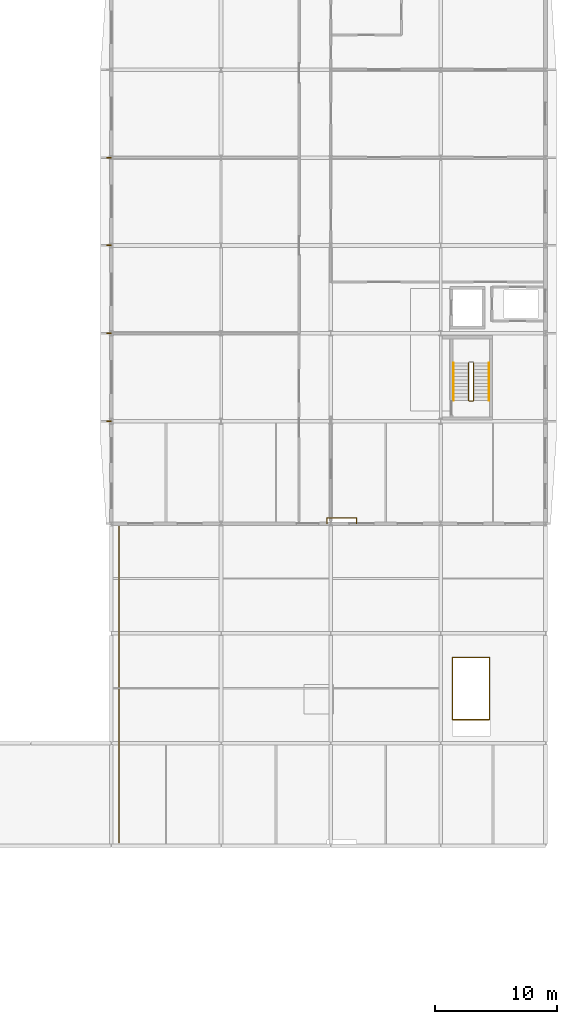
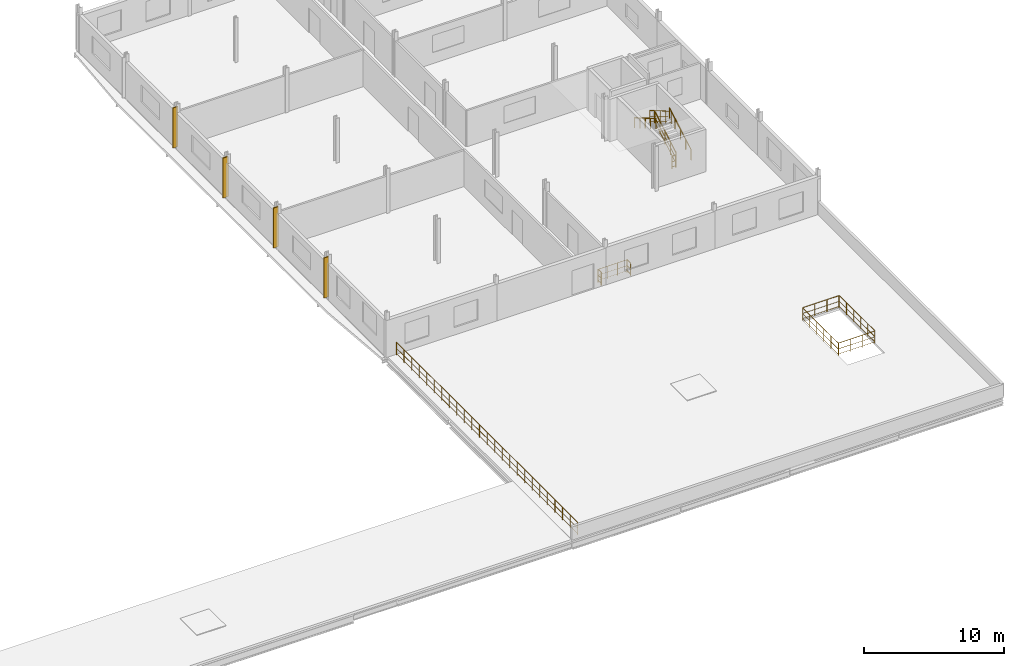
# One storey, part 77 of 78: 13 railings, 4 shading devices.
"""IFC4 building model written with IfcOpenShell, lengths in metres."""

import ifcopenshell
import ifcopenshell.guid

model = None  # the IFC model being written
_history = None  # IfcOwnerHistory: only IFC2X3 demands one
_inside = {}  # id of a spatial element -> (the spatial element, [elements in it])
_under = {}  # id of a project, library or spatial element -> (it, [spatial elements below it])
_declared = {}  # id of a project -> (the project, [libraries it declares])
_typed = {}  # id of a type object -> (the type object, [elements of that type])
_made_of = {}  # id of a material, layer set ... -> (it, [elements and type objects made of it])


def new_model(schema):
    """Start an empty IFC model of exactly this schema.

    Asked for "IFC4X3", IfcOpenShell would pick the latest addendum, in which some entities
    have other attributes; the version numbers below select the first issue.
    IFC2X3 requires an IfcOwnerHistory on every rooted entity: one is made here for all.
    """
    global model, _history
    if schema == "IFC4X3":
        model = ifcopenshell.file(schema_version=(4, 3, 0, 0))
    else:
        model = ifcopenshell.file(schema=schema)
    _inside.clear()
    _under.clear()
    _declared.clear()
    _typed.clear()
    _made_of.clear()
    _history = None
    if model.schema == "IFC2X3":
        org = make("IfcOrganization", Name="unknown")
        user = make(
            "IfcPersonAndOrganization",
            ThePerson=make("IfcPerson", FamilyName="unknown"),
            TheOrganization=org,
        )
        app = make(
            "IfcApplication",
            ApplicationDeveloper=org,
            Version="unknown",
            ApplicationFullName="unknown",
            ApplicationIdentifier="unknown",
        )
        _history = make(
            "IfcOwnerHistory",
            OwningUser=user,
            OwningApplication=app,
            ChangeAction="ADDED",
            CreationDate=0,
        )
    return model


def make(cls, **values):
    """One entity of the class cls with the attributes given. An attribute that is None is left unset."""
    return model.create_entity(
        cls, **{name: value for name, value in values.items() if value is not None}
    )


def rooted(cls, **values):
    """An entity with a GlobalId (a new one), such as an element, a storey or a relation."""
    return make(cls, GlobalId=ifcopenshell.guid.new(), OwnerHistory=_history, **values)


def si_unit(unit_type, name, prefix=None):
    """IfcSIUnit, for example si_unit("LENGTHUNIT", "METRE", prefix="MILLI")."""
    return make("IfcSIUnit", UnitType=unit_type, Prefix=prefix, Name=name)


def assignment(units):
    """IfcUnitAssignment: the units of a project."""
    return None if units is None else make("IfcUnitAssignment", Units=units)


def point(xyz):
    """IfcCartesianPoint."""
    return None if xyz is None else make("IfcCartesianPoint", Coordinates=xyz)


def direction(xyz):
    """IfcDirection."""
    return None if xyz is None else make("IfcDirection", DirectionRatios=xyz)


def frame(location, z_axis=None, x_axis=None):
    """IfcAxis2Placement3D, a coordinate frame: its origin and axes. An axis left out is left unset."""
    return make(
        "IfcAxis2Placement3D",
        Location=point(location),
        Axis=direction(z_axis),
        RefDirection=direction(x_axis),
    )


def frame_2d(location, x_axis=None):
    """IfcAxis2Placement2D, a coordinate frame in the plane: its origin and x axis."""
    return make(
        "IfcAxis2Placement2D", Location=point(location), RefDirection=direction(x_axis)
    )


def origin():
    """The frame at (0, 0, 0) with its axes left unset."""
    return frame((0.0, 0.0, 0.0))


def origin_2d():
    """The frame at (0, 0) in the plane with its x axis left unset."""
    return frame_2d((0.0, 0.0))


def place(relative_to, where):
    """IfcLocalPlacement: puts the frame where relative to a parent placement (None: the world)."""
    return make(
        "IfcLocalPlacement", PlacementRelTo=relative_to, RelativePlacement=where
    )


def context(
    kind, dimensions, precision=None, world=None, true_north=None, identifier=None
):
    """IfcGeometricRepresentationContext, for example the 3D "Model" context."""
    return make(
        "IfcGeometricRepresentationContext",
        ContextIdentifier=identifier,
        ContextType=kind,
        CoordinateSpaceDimension=dimensions,
        Precision=precision,
        WorldCoordinateSystem=world,
        TrueNorth=true_north,
    )


def subcontext(parent, identifier, kind, view, scale=None):
    """IfcGeometricRepresentationSubContext, for example "Body" below "Model"."""
    return make(
        "IfcGeometricRepresentationSubContext",
        ContextIdentifier=identifier,
        ContextType=kind,
        ParentContext=parent,
        TargetScale=scale,
        TargetView=view,
    )


def project(units=None, contexts=None):
    """IfcProject with its units and contexts."""
    return rooted(
        "IfcProject",
        Name="project",
        RepresentationContexts=contexts,
        UnitsInContext=assignment(units),
    )


def spatial(cls, under=None, at=None, **own):
    """A site, building, storey or space (cls), placed at a placement, below another one or the project."""
    s = rooted(cls, ObjectPlacement=at, **own)
    if under is not None:
        _under.setdefault(under.id(), (under, []))[1].append(s)
    return s


def profile(cls, at=None, kind="AREA", **sizes):
    """A parametric profile (cls). Its sizes go by their IFC names, for example OverallWidth=200.0."""
    return make(cls, ProfileType=kind, Position=at, **sizes)


def rectangle(**sizes):
    """IfcRectangleProfileDef."""
    return profile("IfcRectangleProfileDef", **sizes)


def circle(**sizes):
    """IfcCircleProfileDef."""
    return profile("IfcCircleProfileDef", **sizes)


def extrude(swept, where, along, depth):
    """IfcExtrudedAreaSolid: the profile swept, set in the frame where, extruded along a direction by depth."""
    return make(
        "IfcExtrudedAreaSolid",
        SweptArea=swept,
        Position=where,
        ExtrudedDirection=direction(along),
        Depth=depth,
    )


def shape(context_of_items, identifier, shape_type, items):
    """IfcShapeRepresentation: the items that make up one representation, for example the "Body"."""
    return make(
        "IfcShapeRepresentation",
        ContextOfItems=context_of_items,
        RepresentationIdentifier=identifier,
        RepresentationType=shape_type,
        Items=items,
    )


def material(Name=None, Category=None):
    """IfcMaterial."""
    return make("IfcMaterial", Name=Name, Category=Category)


def made_of(thing, what):
    """Note that an element or type object is made of a material, layer set ...; save() writes the relation."""
    if what is not None:
        _made_of.setdefault(what.id(), (what, []))[1].append(thing)
    return thing


def type_object(cls, material=None, **own):
    """A type object (cls), such as IfcWallType, which elements share."""
    return made_of(rooted(cls, **own), material)


def element(
    cls,
    number,
    at=None,
    inside=None,
    cuts=None,
    type_object=None,
    material=None,
    context=None,
    identifier="Body",
    shape_type=None,
    held_by="IfcProductDefinitionShape",
    body=None,
    shapes=None,
    **own,
):
    """One element of the class cls, such as IfcWall. Its Tag is "e" and its number.

    at: its placement. inside: the storey or other place that contains it. cuts: it is an
    opening in that element (IfcRelVoidsElement). A single representation is given by context,
    identifier, shape_type and body (its items); several are given by shapes. held_by: the class
    of the entity that holds the representations. save() writes the other relations.
    """
    e = rooted(cls, Tag="e%d" % number, ObjectPlacement=at, **own)
    if body is not None:
        shapes = [shape(context, identifier, shape_type, body)]
    if shapes is not None:
        e.Representation = make(held_by, Representations=shapes)
    if inside is not None:
        _inside.setdefault(inside.id(), (inside, []))[1].append(e)
    if cuts is not None:
        rooted(
            "IfcRelVoidsElement", RelatingBuildingElement=cuts, RelatedOpeningElement=e
        )
    if type_object is not None:
        _typed.setdefault(type_object.id(), (type_object, []))[1].append(e)
    return made_of(e, material)


def aggregate(whole, parts):
    """IfcRelAggregates: a whole, such as a stair, and the parts it consists of."""
    return rooted("IfcRelAggregates", RelatingObject=whole, RelatedObjects=parts)


def save(model, path):
    """Write the relations noted so far, then the file.

    IfcRelAggregates (storeys below a building ...), IfcRelContainedInSpatialStructure (elements
    in a storey), IfcRelDefinesByType, IfcRelAssociatesMaterial and IfcRelDeclares: one each for
    every whole, place, type object, material and project.
    """
    for whole, parts in _under.values():
        aggregate(whole, parts)
    for where, things in _inside.values():
        rooted(
            "IfcRelContainedInSpatialStructure",
            RelatedElements=things,
            RelatingStructure=where,
        )
    for kind, things in _typed.values():
        rooted("IfcRelDefinesByType", RelatedObjects=things, RelatingType=kind)
    for what, things in _made_of.values():
        rooted("IfcRelAssociatesMaterial", RelatedObjects=things, RelatingMaterial=what)
    for by, libraries in _declared.values():
        rooted("IfcRelDeclares", RelatingContext=by, RelatedDefinitions=libraries)
    model.write(path)


model = new_model("IFC4")

# Units and contexts
model_context = context("Model", 3, precision=1e-05, world=origin(), true_north=direction((0.0, 1.0)))
body_context = subcontext(model_context, "Body", "Model", "MODEL_VIEW")
ifc_project = project(units=[si_unit("LENGTHUNIT", "METRE"), si_unit("AREAUNIT", "SQUARE_METRE"), si_unit("VOLUMEUNIT", "CUBIC_METRE"), si_unit("PLANEANGLEUNIT", "RADIAN"), si_unit("MASSUNIT", "GRAM", prefix="KILO")], contexts=[model_context])

# Site, building, storey
site_placement = place(None, origin())
site = spatial("IfcSite", under=ifc_project, at=site_placement, CompositionType="ELEMENT")
building_placement = place(site_placement, origin())
building = spatial("IfcBuilding", under=site, at=building_placement, Name="Vinh Khe Railworks Police Headquarters", CompositionType="ELEMENT")
storey_placement = place(building_placement, frame((0.0, 0.0, 13.199951171875)))
storey = spatial("IfcBuildingStorey", under=building, at=storey_placement, Name="L03", CompositionType="ELEMENT", Elevation=13.199951171875)

# Railings
ifc_material_1 = material(Name="Dark steel and laminated safety glass", Category="steel")
railing_type_1 = type_object("IfcRailingType", Name="RL-ATRIUM-1150", PredefinedType="BALUSTRADE", material=ifc_material_1)
railing_1_placement = place(storey_placement, frame((78.64990234375, 122.14990234375, 0.0)))
element("IfcRailing", 1, at=railing_1_placement, inside=storey, type_object=railing_type_1, Name="Atrium and Terrace Guard Balustrade GR-V6A-L03-TERR", PredefinedType="BALUSTRADE", context=body_context, shape_type="SweptSolid", body=[
    extrude(circle(Radius=0.02392578125, at=origin_2d()), frame((0.0, 0.0, 1.1259765625), z_axis=(0.0, -1.0, 0.0), x_axis=(1.0, 0.0, 0.0)), (0.0, 0.0, 1.0), 25.89990234375),
    extrude(circle(Radius=0.01416015625, at=origin_2d()), frame((0.0, 0.0, 0.137939453125), z_axis=(0.0, -1.0, 0.0), x_axis=(1.0, 0.0, 0.0)), (0.0, 0.0, 1.0), 25.89990234375),
    extrude(circle(Radius=0.01416015625, at=origin_2d()), frame((0.0, 0.0, 0.597900390625), z_axis=(0.0, -1.0, 0.0), x_axis=(1.0, 0.0, 0.0)), (0.0, 0.0, 1.0), 25.89990234375),
    extrude(circle(Radius=0.02099609375, at=origin_2d()), origin(), (0.0, 0.0, 1.0), 1.101806640625),
    extrude(circle(Radius=0.02099609375, at=origin_2d()), frame((0.0, -1.0791015625, 0.0)), (0.0, 0.0, 1.0), 1.101806640625),
    extrude(circle(Radius=0.02099609375, at=origin_2d()), frame((0.0, -2.158203125, 0.0)), (0.0, 0.0, 1.0), 1.101806640625),
    extrude(circle(Radius=0.02099609375, at=origin_2d()), frame((0.0, -3.237548828125, 0.0)), (0.0, 0.0, 1.0), 1.101806640625),
    extrude(circle(Radius=0.02099609375, at=origin_2d()), frame((0.0, -4.316650390625, 0.0)), (0.0, 0.0, 1.0), 1.101806640625),
    extrude(circle(Radius=0.02099609375, at=origin_2d()), frame((0.0, -5.395751953125, 0.0)), (0.0, 0.0, 1.0), 1.101806640625),
    extrude(circle(Radius=0.02099609375, at=origin_2d()), frame((0.0, -6.47509765625, 0.0)), (0.0, 0.0, 1.0), 1.101806640625),
    extrude(circle(Radius=0.02099609375, at=origin_2d()), frame((0.0, -7.55419921875, 0.0)), (0.0, 0.0, 1.0), 1.101806640625),
    extrude(circle(Radius=0.02099609375, at=origin_2d()), frame((0.0, -8.63330078125, 0.0)), (0.0, 0.0, 1.0), 1.101806640625),
    extrude(circle(Radius=0.02099609375, at=origin_2d()), frame((0.0, -9.71240234375, 0.0)), (0.0, 0.0, 1.0), 1.101806640625),
    extrude(circle(Radius=0.02099609375, at=origin_2d()), frame((0.0, -10.79150390625, 0.0)), (0.0, 0.0, 1.0), 1.101806640625),
    extrude(circle(Radius=0.02099609375, at=origin_2d()), frame((0.0, -11.870849609375, 0.0)), (0.0, 0.0, 1.0), 1.101806640625),
    extrude(circle(Radius=0.02099609375, at=origin_2d()), frame((0.0, -12.949951171875, 0.0)), (0.0, 0.0, 1.0), 1.101806640625),
    extrude(circle(Radius=0.02099609375, at=origin_2d()), frame((0.0, -14.029052734375, 0.0)), (0.0, 0.0, 1.0), 1.101806640625),
    extrude(circle(Radius=0.02099609375, at=origin_2d()), frame((0.0, -15.1083984375, 0.0)), (0.0, 0.0, 1.0), 1.101806640625),
    extrude(circle(Radius=0.02099609375, at=origin_2d()), frame((0.0, -16.1875, 0.0)), (0.0, 0.0, 1.0), 1.101806640625),
    extrude(circle(Radius=0.02099609375, at=origin_2d()), frame((0.0, -17.2666015625, 0.0)), (0.0, 0.0, 1.0), 1.101806640625),
    extrude(circle(Radius=0.02099609375, at=origin_2d()), frame((0.0, -18.345703125, 0.0)), (0.0, 0.0, 1.0), 1.101806640625),
    extrude(circle(Radius=0.02099609375, at=origin_2d()), frame((0.0, -19.4248046875, 0.0)), (0.0, 0.0, 1.0), 1.101806640625),
    extrude(circle(Radius=0.02099609375, at=origin_2d()), frame((0.0, -20.504150390625, 0.0)), (0.0, 0.0, 1.0), 1.101806640625),
    extrude(circle(Radius=0.02099609375, at=origin_2d()), frame((0.0, -21.583251953125, 0.0)), (0.0, 0.0, 1.0), 1.101806640625),
    extrude(circle(Radius=0.02099609375, at=origin_2d()), frame((0.0, -22.662353515625, 0.0)), (0.0, 0.0, 1.0), 1.101806640625),
    extrude(circle(Radius=0.02099609375, at=origin_2d()), frame((0.0, -23.74169921875, 0.0)), (0.0, 0.0, 1.0), 1.101806640625),
    extrude(circle(Radius=0.02099609375, at=origin_2d()), frame((0.0, -24.82080078125, 0.0)), (0.0, 0.0, 1.0), 1.101806640625),
    extrude(circle(Radius=0.02099609375, at=origin_2d()), frame((0.0, -25.89990234375, 0.0)), (0.0, 0.0, 1.0), 1.101806640625),
])
ifc_material_2 = material(Name="Painted tubular steel", Category="steel")
railing_type_2 = type_object("IfcRailingType", Name="RL-GUARD-1100", PredefinedType="GUARDRAIL", material=ifc_material_2)
railing_2_placement = place(storey_placement, frame((107.699951171875, 132.5, 0.16259765625)))
element("IfcRailing", 2, at=railing_2_placement, inside=storey, type_object=railing_type_2, Name="L03 ST-03 stair guard 1", PredefinedType="GUARDRAIL", context=body_context, shape_type="SweptSolid", body=[
    extrude(circle(Radius=0.02392578125, at=origin_2d()), frame((0.0, 0.0, 1.076171875), z_axis=(0.0, 0.864920483161, 0.501908913857), x_axis=(-1.0, 0.0, 0.0)), (0.0, 0.0, 1.0), 3.56103515625),
    extrude(circle(Radius=0.01416015625, at=origin_2d()), frame((0.0, 0.0, 0.132080078125), z_axis=(0.0, 0.864920483161, 0.501908913857), x_axis=(-1.0, 0.0, 0.0)), (0.0, 0.0, 1.0), 3.56103515625),
    extrude(circle(Radius=0.01416015625, at=origin_2d()), frame((0.0, 0.0, 0.572021484375), z_axis=(0.0, 0.864920483161, 0.501908913857), x_axis=(-1.0, 0.0, 0.0)), (0.0, 0.0, 1.0), 3.56103515625),
    extrude(circle(Radius=0.02099609375, at=origin_2d()), origin(), (0.0, 0.0, 1.0), 1.052001953125),
    extrude(circle(Radius=0.02099609375, at=origin_2d()), frame((0.0, 0.77001953125, 0.44677734375)), (0.0, 0.0, 1.0), 1.052001953125),
    extrude(circle(Radius=0.02099609375, at=origin_2d()), frame((0.0, 1.5400390625, 0.8935546875)), (0.0, 0.0, 1.0), 1.052001953125),
    extrude(circle(Radius=0.02099609375, at=origin_2d()), frame((0.0, 2.31005859375, 1.340576171875)), (0.0, 0.0, 1.0), 1.052001953125),
    extrude(circle(Radius=0.02099609375, at=origin_2d()), frame((0.0, 3.080078125, 1.787353515625)), (0.0, 0.0, 1.0), 1.052001953125),
])
railing_3_placement = place(storey_placement, frame((107.300048828125, 135.580078125, 2.112548828125)))
element("IfcRailing", 3, at=railing_3_placement, inside=storey, type_object=railing_type_2, Name="L03 ST-03 stair guard 3", PredefinedType="GUARDRAIL", context=body_context, shape_type="SweptSolid", body=[
    extrude(circle(Radius=0.02392578125, at=origin_2d()), frame((0.0, 0.0, 1.076171875), z_axis=(0.0, -0.864890721111, 0.501960198159), x_axis=(1.0, 0.0, 0.0)), (0.0, 0.0, 1.0), 3.561279296875),
    extrude(circle(Radius=0.01416015625, at=origin_2d()), frame((0.0, 0.0, 0.132080078125), z_axis=(0.0, -0.864890721111, 0.501960198159), x_axis=(1.0, 0.0, 0.0)), (0.0, 0.0, 1.0), 3.561279296875),
    extrude(circle(Radius=0.01416015625, at=origin_2d()), frame((0.0, 0.0, 0.572021484375), z_axis=(0.0, -0.864890721111, 0.501960198159), x_axis=(1.0, 0.0, 0.0)), (0.0, 0.0, 1.0), 3.561279296875),
    extrude(circle(Radius=0.02099609375, at=origin_2d()), origin(), (0.0, 0.0, 1.0), 1.052001953125),
    extrude(circle(Radius=0.02099609375, at=origin_2d()), frame((0.0, -0.77001953125, 0.44677734375)), (0.0, 0.0, 1.0), 1.052001953125),
    extrude(circle(Radius=0.02099609375, at=origin_2d()), frame((0.0, -1.5400390625, 0.893798828125)), (0.0, 0.0, 1.0), 1.052001953125),
    extrude(circle(Radius=0.02099609375, at=origin_2d()), frame((0.0, -2.31005859375, 1.3408203125)), (0.0, 0.0, 1.0), 1.052001953125),
    extrude(circle(Radius=0.02099609375, at=origin_2d()), frame((0.0, -3.080078125, 1.78759765625)), (0.0, 0.0, 1.0), 1.052001953125),
])
railing_4_placement = place(storey_placement, frame((107.64990234375, 132.449951171875, 0.0)))
element("IfcRailing", 4, at=railing_4_placement, inside=storey, type_object=railing_type_2, Name="L03 ST-03 stair guard 4", PredefinedType="GUARDRAIL", context=body_context, shape_type="SweptSolid", body=[
    extrude(circle(Radius=0.02392578125, at=origin_2d()), frame((0.0, 0.0, 1.076171875), z_axis=(-1.0, 0.0, 0.0), x_axis=(0.0, -1.0, 0.0)), (0.0, 0.0, 1.0), 0.2998046875),
    extrude(circle(Radius=0.01416015625, at=origin_2d()), frame((0.0, 0.0, 0.132080078125), z_axis=(-1.0, 0.0, 0.0), x_axis=(0.0, -1.0, 0.0)), (0.0, 0.0, 1.0), 0.2998046875),
    extrude(circle(Radius=0.01416015625, at=origin_2d()), frame((0.0, 0.0, 0.572021484375), z_axis=(-1.0, 0.0, 0.0), x_axis=(0.0, -1.0, 0.0)), (0.0, 0.0, 1.0), 0.2998046875),
    extrude(circle(Radius=0.02099609375, at=origin_2d()), origin(), (0.0, 0.0, 1.0), 1.052001953125),
    extrude(circle(Radius=0.02099609375, at=origin_2d()), frame((-0.2998046875, 0.0, 0.0)), (0.0, 0.0, 1.0), 1.052001953125),
])
railing_5_placement = place(storey_placement, frame((105.97998046875, 106.340087890625, 0.0)))
element("IfcRailing", 5, at=railing_5_placement, inside=storey, type_object=railing_type_2, Name="L03 ST-04 top well guard 1", PredefinedType="GUARDRAIL", context=body_context, shape_type="SweptSolid", body=[
    extrude(circle(Radius=0.02392578125, at=origin_2d()), frame((0.0, 0.0, 1.076171875), z_axis=(0.0, 1.0, 0.0), x_axis=(-1.0, 0.0, 0.0)), (0.0, 0.0, 1.0), 5.06982421875),
    extrude(circle(Radius=0.01416015625, at=origin_2d()), frame((0.0, 0.0, 0.132080078125), z_axis=(0.0, 1.0, 0.0), x_axis=(-1.0, 0.0, 0.0)), (0.0, 0.0, 1.0), 5.06982421875),
    extrude(circle(Radius=0.01416015625, at=origin_2d()), frame((0.0, 0.0, 0.572021484375), z_axis=(0.0, 1.0, 0.0), x_axis=(-1.0, 0.0, 0.0)), (0.0, 0.0, 1.0), 5.06982421875),
    extrude(circle(Radius=0.02099609375, at=origin_2d()), origin(), (0.0, 0.0, 1.0), 1.052001953125),
    extrude(circle(Radius=0.02099609375, at=origin_2d()), frame((0.0, 1.013916015625, 0.0)), (0.0, 0.0, 1.0), 1.052001953125),
    extrude(circle(Radius=0.02099609375, at=origin_2d()), frame((0.0, 2.02783203125, 0.0)), (0.0, 0.0, 1.0), 1.052001953125),
    extrude(circle(Radius=0.02099609375, at=origin_2d()), frame((0.0, 3.0419921875, 0.0)), (0.0, 0.0, 1.0), 1.052001953125),
    extrude(circle(Radius=0.02099609375, at=origin_2d()), frame((0.0, 4.055908203125, 0.0)), (0.0, 0.0, 1.0), 1.052001953125),
    extrude(circle(Radius=0.02099609375, at=origin_2d()), frame((0.0, 5.06982421875, 0.0)), (0.0, 0.0, 1.0), 1.052001953125),
])
railing_6_placement = place(storey_placement, frame((106.010009765625, 111.419921875, 0.0)))
element("IfcRailing", 6, at=railing_6_placement, inside=storey, type_object=railing_type_2, Name="L03 ST-04 top well guard 2", PredefinedType="GUARDRAIL", context=body_context, shape_type="SweptSolid", body=[
    extrude(circle(Radius=0.02392578125, at=origin_2d()), frame((0.0, 0.0, 1.076171875), z_axis=(1.0, 0.0, 0.0), x_axis=(0.0, 1.0, 0.0)), (0.0, 0.0, 1.0), 2.97998046875),
    extrude(circle(Radius=0.01416015625, at=origin_2d()), frame((0.0, 0.0, 0.132080078125), z_axis=(1.0, 0.0, 0.0), x_axis=(0.0, 1.0, 0.0)), (0.0, 0.0, 1.0), 2.97998046875),
    extrude(circle(Radius=0.01416015625, at=origin_2d()), frame((0.0, 0.0, 0.572021484375), z_axis=(1.0, 0.0, 0.0), x_axis=(0.0, 1.0, 0.0)), (0.0, 0.0, 1.0), 2.97998046875),
    extrude(circle(Radius=0.02099609375, at=origin_2d()), origin(), (0.0, 0.0, 1.0), 1.052001953125),
    extrude(circle(Radius=0.02099609375, at=origin_2d()), frame((0.993408203125, 0.0, 0.0)), (0.0, 0.0, 1.0), 1.052001953125),
    extrude(circle(Radius=0.02099609375, at=origin_2d()), frame((1.986572265625, 0.0, 0.0)), (0.0, 0.0, 1.0), 1.052001953125),
    extrude(circle(Radius=0.02099609375, at=origin_2d()), frame((2.97998046875, 0.0, 0.0)), (0.0, 0.0, 1.0), 1.052001953125),
])
railing_7_placement = place(storey_placement, frame((109.02001953125, 111.409912109375, 0.0)))
element("IfcRailing", 7, at=railing_7_placement, inside=storey, type_object=railing_type_2, Name="L03 ST-04 top well guard 3", PredefinedType="GUARDRAIL", context=body_context, shape_type="SweptSolid", body=[
    extrude(circle(Radius=0.02392578125, at=origin_2d()), frame((0.0, 0.0, 1.076171875), z_axis=(0.0, -1.0, 0.0), x_axis=(1.0, 0.0, 0.0)), (0.0, 0.0, 1.0), 5.06982421875),
    extrude(circle(Radius=0.01416015625, at=origin_2d()), frame((0.0, 0.0, 0.132080078125), z_axis=(0.0, -1.0, 0.0), x_axis=(1.0, 0.0, 0.0)), (0.0, 0.0, 1.0), 5.06982421875),
    extrude(circle(Radius=0.01416015625, at=origin_2d()), frame((0.0, 0.0, 0.572021484375), z_axis=(0.0, -1.0, 0.0), x_axis=(1.0, 0.0, 0.0)), (0.0, 0.0, 1.0), 5.06982421875),
    extrude(circle(Radius=0.02099609375, at=origin_2d()), origin(), (0.0, 0.0, 1.0), 1.052001953125),
    extrude(circle(Radius=0.02099609375, at=origin_2d()), frame((0.0, -1.013916015625, 0.0)), (0.0, 0.0, 1.0), 1.052001953125),
    extrude(circle(Radius=0.02099609375, at=origin_2d()), frame((0.0, -2.02783203125, 0.0)), (0.0, 0.0, 1.0), 1.052001953125),
    extrude(circle(Radius=0.02099609375, at=origin_2d()), frame((0.0, -3.0419921875, 0.0)), (0.0, 0.0, 1.0), 1.052001953125),
    extrude(circle(Radius=0.02099609375, at=origin_2d()), frame((0.0, -4.055908203125, 0.0)), (0.0, 0.0, 1.0), 1.052001953125),
    extrude(circle(Radius=0.02099609375, at=origin_2d()), frame((0.0, -5.06982421875, 0.0)), (0.0, 0.0, 1.0), 1.052001953125),
])
railing_8_placement = place(storey_placement, frame((108.989990234375, 106.320068359375, 0.0)))
element("IfcRailing", 8, at=railing_8_placement, inside=storey, type_object=railing_type_2, Name="L03 ST-04 top well guard 4", PredefinedType="GUARDRAIL", context=body_context, shape_type="SweptSolid", body=[
    extrude(circle(Radius=0.02392578125, at=origin_2d()), frame((0.0, 0.0, 1.076171875), z_axis=(-1.0, 0.0, 0.0), x_axis=(0.0, -1.0, 0.0)), (0.0, 0.0, 1.0), 2.97998046875),
    extrude(circle(Radius=0.01416015625, at=origin_2d()), frame((0.0, 0.0, 0.132080078125), z_axis=(-1.0, 0.0, 0.0), x_axis=(0.0, -1.0, 0.0)), (0.0, 0.0, 1.0), 2.97998046875),
    extrude(circle(Radius=0.01416015625, at=origin_2d()), frame((0.0, 0.0, 0.572021484375), z_axis=(-1.0, 0.0, 0.0), x_axis=(0.0, -1.0, 0.0)), (0.0, 0.0, 1.0), 2.97998046875),
    extrude(circle(Radius=0.02099609375, at=origin_2d()), origin(), (0.0, 0.0, 1.0), 1.052001953125),
    extrude(circle(Radius=0.02099609375, at=origin_2d()), frame((-0.993408203125, 0.0, 0.0)), (0.0, 0.0, 1.0), 1.052001953125),
    extrude(circle(Radius=0.02099609375, at=origin_2d()), frame((-1.986572265625, 0.0, 0.0)), (0.0, 0.0, 1.0), 1.052001953125),
    extrude(circle(Radius=0.02099609375, at=origin_2d()), frame((-2.97998046875, 0.0, 0.0)), (0.0, 0.0, 1.0), 1.052001953125),
])
railing_9_placement = place(storey_placement, frame((95.699951171875, 122.39990234375, 0.0)))
element("IfcRailing", 9, at=railing_9_placement, inside=storey, type_object=railing_type_2, Name="Slab Corner Notch Guard L03-93", PredefinedType="GUARDRAIL", context=body_context, shape_type="SweptSolid", body=[
    extrude(circle(Radius=0.02392578125, at=origin_2d()), frame((0.0, 0.0, 1.09619140625), z_axis=(0.0, 1.0, 0.0), x_axis=(-1.0, 0.0, 0.0)), (0.0, 0.0, 1.0), 0.4501953125),
    extrude(circle(Radius=0.01416015625, at=origin_2d()), frame((0.0, 0.0, 0.134521484375), z_axis=(0.0, 1.0, 0.0), x_axis=(-1.0, 0.0, 0.0)), (0.0, 0.0, 1.0), 0.4501953125),
    extrude(circle(Radius=0.01416015625, at=origin_2d()), frame((0.0, 0.0, 0.58251953125), z_axis=(0.0, 1.0, 0.0), x_axis=(-1.0, 0.0, 0.0)), (0.0, 0.0, 1.0), 0.4501953125),
    extrude(circle(Radius=0.02099609375, at=origin_2d()), origin(), (0.0, 0.0, 1.0), 1.072021484375),
    extrude(circle(Radius=0.02099609375, at=origin_2d()), frame((0.0, 0.4501953125, 0.0)), (0.0, 0.0, 1.0), 1.072021484375),
])
railing_10_placement = place(storey_placement, frame((95.699951171875, 122.85009765625, 0.0)))
element("IfcRailing", 10, at=railing_10_placement, inside=storey, type_object=railing_type_2, Name="Slab Corner Notch Guard L03-94", PredefinedType="GUARDRAIL", context=body_context, shape_type="SweptSolid", body=[
    extrude(circle(Radius=0.02392578125, at=origin_2d()), frame((0.0, 0.0, 1.09619140625), z_axis=(1.0, 0.0, 0.0), x_axis=(0.0, 1.0, 0.0)), (0.0, 0.0, 1.0), 2.400146484375),
    extrude(circle(Radius=0.01416015625, at=origin_2d()), frame((0.0, 0.0, 0.134521484375), z_axis=(1.0, 0.0, 0.0), x_axis=(0.0, 1.0, 0.0)), (0.0, 0.0, 1.0), 2.400146484375),
    extrude(circle(Radius=0.01416015625, at=origin_2d()), frame((0.0, 0.0, 0.58251953125), z_axis=(1.0, 0.0, 0.0), x_axis=(0.0, 1.0, 0.0)), (0.0, 0.0, 1.0), 2.400146484375),
    extrude(circle(Radius=0.02099609375, at=origin_2d()), origin(), (0.0, 0.0, 1.0), 1.072021484375),
    extrude(circle(Radius=0.02099609375, at=origin_2d()), frame((0.800048828125, 0.0, 0.0)), (0.0, 0.0, 1.0), 1.072021484375),
    extrude(circle(Radius=0.02099609375, at=origin_2d()), frame((1.60009765625, 0.0, 0.0)), (0.0, 0.0, 1.0), 1.072021484375),
    extrude(circle(Radius=0.02099609375, at=origin_2d()), frame((2.400146484375, 0.0, 0.0)), (0.0, 0.0, 1.0), 1.072021484375),
])
railing_11_placement = place(storey_placement, frame((98.10009765625, 122.85009765625, 0.0)))
element("IfcRailing", 11, at=railing_11_placement, inside=storey, type_object=railing_type_2, Name="Slab Corner Notch Guard L03-95", PredefinedType="GUARDRAIL", context=body_context, shape_type="SweptSolid", body=[
    extrude(circle(Radius=0.02392578125, at=origin_2d()), frame((0.0, 0.0, 1.09619140625), z_axis=(0.0, -1.0, 0.0), x_axis=(1.0, 0.0, 0.0)), (0.0, 0.0, 1.0), 0.4501953125),
    extrude(circle(Radius=0.01416015625, at=origin_2d()), frame((0.0, 0.0, 0.134521484375), z_axis=(0.0, -1.0, 0.0), x_axis=(1.0, 0.0, 0.0)), (0.0, 0.0, 1.0), 0.4501953125),
    extrude(circle(Radius=0.01416015625, at=origin_2d()), frame((0.0, 0.0, 0.58251953125), z_axis=(0.0, -1.0, 0.0), x_axis=(1.0, 0.0, 0.0)), (0.0, 0.0, 1.0), 0.4501953125),
    extrude(circle(Radius=0.02099609375, at=origin_2d()), origin(), (0.0, 0.0, 1.0), 1.072021484375),
    extrude(circle(Radius=0.02099609375, at=origin_2d()), frame((0.0, -0.4501953125, 0.0)), (0.0, 0.0, 1.0), 1.072021484375),
])
ifc_material_3 = material(Name="Brushed stainless steel", Category="steel")
railing_type_3 = type_object("IfcRailingType", Name="RL-HAND-900", PredefinedType="HANDRAIL", material=ifc_material_3)
railing_12_placement = place(storey_placement, frame((108.949951171875, 132.5, 0.16259765625)))
element("IfcRailing", 12, at=railing_12_placement, inside=storey, type_object=railing_type_3, Name="L03 ST-03 stair handrail 1", PredefinedType="HANDRAIL", context=body_context, shape_type="SweptSolid", body=[
    extrude(circle(Radius=0.02392578125, at=origin_2d()), frame((0.0, 0.0, 0.8759765625), z_axis=(0.0, 0.864920483161, 0.501908913857), x_axis=(-1.0, 0.0, 0.0)), (0.0, 0.0, 1.0), 3.56103515625),
    extrude(circle(Radius=0.02099609375, at=origin_2d()), origin(), (0.0, 0.0, 1.0), 0.851806640625),
    extrude(circle(Radius=0.02099609375, at=origin_2d()), frame((0.0, 0.77001953125, 0.44677734375)), (0.0, 0.0, 1.0), 0.851806640625),
    extrude(circle(Radius=0.02099609375, at=origin_2d()), frame((0.0, 1.5400390625, 0.8935546875)), (0.0, 0.0, 1.0), 0.851806640625),
    extrude(circle(Radius=0.02099609375, at=origin_2d()), frame((0.0, 2.31005859375, 1.340576171875)), (0.0, 0.0, 1.0), 0.851806640625),
    extrude(circle(Radius=0.02099609375, at=origin_2d()), frame((0.0, 3.080078125, 1.787353515625)), (0.0, 0.0, 1.0), 0.851806640625),
])
railing_13_placement = place(storey_placement, frame((106.050048828125, 135.580078125, 2.112548828125)))
element("IfcRailing", 13, at=railing_13_placement, inside=storey, type_object=railing_type_3, Name="L03 ST-03 stair handrail 2", PredefinedType="HANDRAIL", context=body_context, shape_type="SweptSolid", body=[
    extrude(circle(Radius=0.02392578125, at=origin_2d()), frame((0.0, 0.0, 0.8759765625), z_axis=(0.0, -0.864890721111, 0.501960198159), x_axis=(1.0, 0.0, 0.0)), (0.0, 0.0, 1.0), 3.561279296875),
    extrude(circle(Radius=0.02099609375, at=origin_2d()), origin(), (0.0, 0.0, 1.0), 0.851806640625),
    extrude(circle(Radius=0.02099609375, at=origin_2d()), frame((0.0, -0.77001953125, 0.44677734375)), (0.0, 0.0, 1.0), 0.851806640625),
    extrude(circle(Radius=0.02099609375, at=origin_2d()), frame((0.0, -1.5400390625, 0.893798828125)), (0.0, 0.0, 1.0), 0.851806640625),
    extrude(circle(Radius=0.02099609375, at=origin_2d()), frame((0.0, -2.31005859375, 1.3408203125)), (0.0, 0.0, 1.0), 0.851806640625),
    extrude(circle(Radius=0.02099609375, at=origin_2d()), frame((0.0, -3.080078125, 1.78759765625)), (0.0, 0.0, 1.0), 0.851806640625),
])

# Shading devices
ifc_material_4 = material(Name="Salvaged ironwood timber", Category="wood")
shading_device_type = type_object("IfcShadingDeviceType", Name="SHD-MSF-01", PredefinedType="JALOUSIE", material=ifc_material_4)
for number, where, z_axis, x_axis, name in (
    (14, (77.840087890625, 130.800048828125, 0.10009765625), (0.0, 0.0, 1.0), (1.0, 0.0, 0.0), "Monsoon Court Solar Fin V6 L03-1"),
    (15, (77.840087890625, 138.0, 0.10009765625), (0.0, 0.0, 1.0), (1.0, 0.0, 0.0), "Monsoon Court Solar Fin V6 L03-2"),
    (16, (77.840087890625, 145.199951171875, 0.10009765625), (0.0, 0.0, 1.0), (1.0, 0.0, 0.0), "Monsoon Court Solar Fin V6 L03-3"),
    (17, (77.840087890625, 152.39990234375, 0.10009765625), (0.0, 0.0, 1.0), (1.0, 0.0, 0.0), "Monsoon Court Solar Fin V6 L03-4"),
):
    element("IfcShadingDevice", number, at=place(storey_placement, frame(where, z_axis=z_axis, x_axis=x_axis)), inside=storey, type_object=shading_device_type, Name=name, PredefinedType="JALOUSIE", context=body_context, shape_type="SweptSolid", body=[
        extrude(rectangle(XDim=0.419921875, YDim=0.080078125, at=origin_2d()), origin(), (0.0, 0.0, 1.0), 3.5),
    ])

save(model, "model.ifc")
